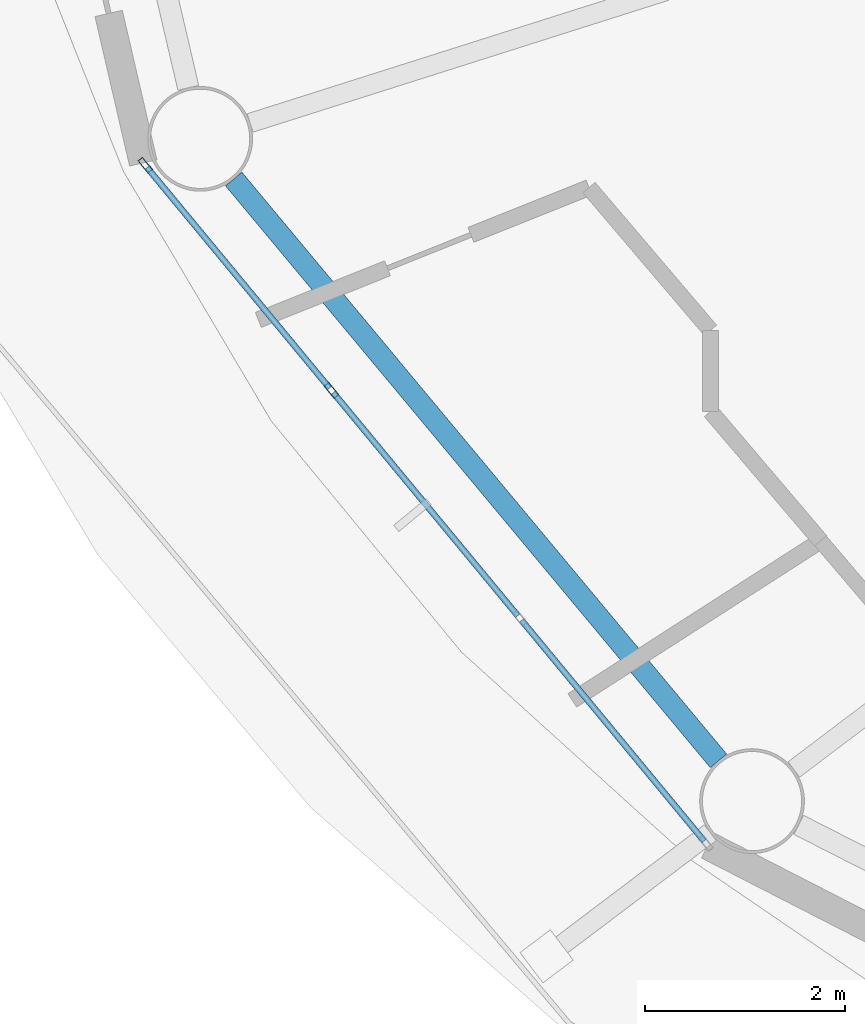
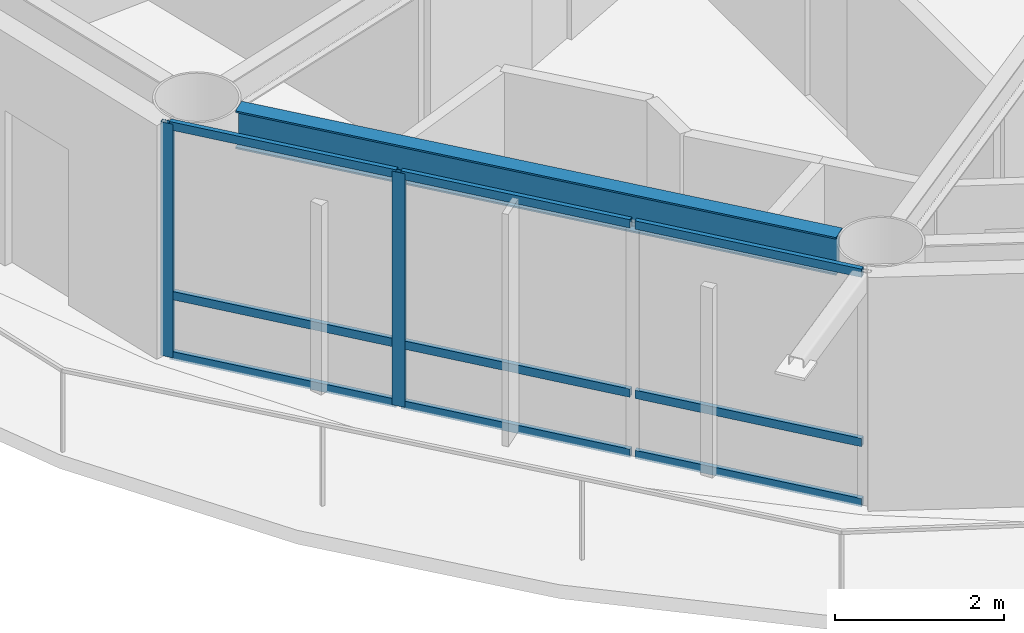
# One storey, part 3 of 30: 11 members, 1 beam, 1 element without a shape of its own.
"""IFC4 building model written with IfcOpenShell, lengths in metres."""

from ifc_helpers import new_model, si_unit, direction, frame, origin, origin_2d, place, context, subcontext, project, spatial, hollow_rectangle, i_section, extrude, material, layer, layer_set, material_profile, profile_set, type_object, element, aggregate, save


model = new_model("IFC4")

# Units and contexts
model_context = context("Model", 3, precision=1e-05, world=origin(), true_north=direction((0.0, 1.0)))
body_context = subcontext(model_context, "Body", "Model", "MODEL_VIEW")
ifc_project = project(units=[si_unit("LENGTHUNIT", "METRE"), si_unit("AREAUNIT", "SQUARE_METRE"), si_unit("VOLUMEUNIT", "CUBIC_METRE"), si_unit("PLANEANGLEUNIT", "RADIAN"), si_unit("MASSUNIT", "GRAM", prefix="KILO")], contexts=[model_context])

# Site, building, storey
site_placement = place(None, origin())
site = spatial("IfcSite", under=ifc_project, at=site_placement, CompositionType="ELEMENT")
building_placement = place(site_placement, origin())
building = spatial("IfcBuilding", under=site, at=building_placement, Name="Sarneth Arch Tower", CompositionType="ELEMENT")
storey_placement = place(building_placement, frame((0.0, 0.0, 161.39990234375)))
storey = spatial("IfcBuildingStorey", under=building, at=storey_placement, Name="L40", CompositionType="ELEMENT", Elevation=161.39990234375)

# Beam
ifc_material_1 = material(Name="Steel S355", Category="steel")
ifc_material_profile_1 = material_profile(ifc_material_1, i_section(OverallWidth=0.214111328125, OverallDepth=0.549072265625, WebThickness=0.0146484375, FlangeThickness=0.023681640625, FilletRadius=0.01806640625, at=origin_2d()), Name="W530x138")
ifc_profile_set_1 = profile_set([ifc_material_profile_1], Name="Steel S355")
beam_type = type_object("IfcBeamType", Name="BM-RAD-530A", PredefinedType="BEAM", material=ifc_profile_set_1)
beam_placement = place(storey_placement, frame((23.673828125, 33.770751953125, 3.105712890625), z_axis=(0.640171737024, -0.768231831621, 0.0), x_axis=(0.768231831621, 0.640171737024, 0.0)))
element("IfcBeam", 1, at=beam_placement, inside=storey, type_object=beam_type, Name="L40 Perimeter spandrel beam 10", PredefinedType="BEAM", context=body_context, shape_type="SweptSolid", body=[
    extrude(i_section(OverallWidth=0.214111328125, OverallDepth=0.549072265625, WebThickness=0.0146484375, FlangeThickness=0.023681640625, FilletRadius=0.01806640625, at=origin_2d()), origin(), (0.0, 0.0, 1.0), 7.585693359375),
])

# Curtain wall, members
ifc_material_2 = material(Name="Anodised aluminium Type AA25 and solar-control low-e laminated IGU", Category="aluminium")
ifc_layer = layer(ifc_material_2, 0.169921875)
ifc_layer_set = layer_set([ifc_layer], Name="Anodised aluminium Type AA25 and solar-control low-e laminated IGU")
curtain_wall_type = type_object("IfcCurtainWallType", Name="CW-RES-MID", PredefinedType="NOTDEFINED", material=ifc_layer_set)
curtain_wall_placement = place(storey_placement, origin())
curtain_wall = element("IfcCurtainWall", 2, at=curtain_wall_placement, inside=storey, type_object=curtain_wall_type, Name="L40 Unitised curtain wall facet 10", PredefinedType="NOTDEFINED")
ifc_material_3 = material(Name="Anodised Aluminium 6063-T6", Category="aluminium")
ifc_material_profile_2 = material_profile(ifc_material_3, hollow_rectangle(XDim=0.06005859375, YDim=0.159912109375, WallThickness=0.00390625, at=origin_2d()), Name="AL-MULL-160x60x4")
ifc_profile_set_2 = profile_set([ifc_material_profile_2], Name="Anodised Aluminium 6063-T6")
member_type_1 = type_object("IfcMemberType", Name="CW-MULLION", PredefinedType="MULLION", material=ifc_profile_set_2)
member_1_placement = place(storey_placement, frame((22.786865234375, 33.909912109375, 0.0), z_axis=(0.0, 0.0, 1.0), x_axis=(0.770590741276, 0.637330298558, 0.0)))
member_1 = element("IfcMember", 3, at=member_1_placement, type_object=member_type_1, Name="CW-SYS-5 mullion 1", PredefinedType="MULLION", context=body_context, shape_type="SweptSolid", body=[
    extrude(hollow_rectangle(XDim=0.06005859375, YDim=0.159912109375, WallThickness=0.00390625, at=origin_2d()), origin(), (0.0, 0.0, 1.0), 3.380126953125),
])
member_2_placement = place(storey_placement, frame((24.653076171875, 31.6533203125, 0.0), z_axis=(0.0, 0.0, 1.0), x_axis=(0.770590741276, 0.637330298558, 0.0)))
member_2 = element("IfcMember", 4, at=member_2_placement, type_object=member_type_1, Name="CW-SYS-5 mullion 2", PredefinedType="MULLION", context=body_context, shape_type="SweptSolid", body=[
    extrude(hollow_rectangle(XDim=0.06005859375, YDim=0.159912109375, WallThickness=0.00390625, at=origin_2d()), origin(), (0.0, 0.0, 1.0), 3.380126953125),
])
ifc_material_4 = material(Name="Anodised Aluminium 6063-T6", Category="aluminium")
ifc_material_profile_3 = material_profile(ifc_material_4, hollow_rectangle(XDim=0.06005859375, YDim=0.1201171875, WallThickness=0.00390625, at=origin_2d()), Name="AL-TRAN-120x60x4")
ifc_profile_set_3 = profile_set([ifc_material_profile_3], Name="Anodised Aluminium 6063-T6")
member_type_2 = type_object("IfcMemberType", Name="CW-TRANSOM", PredefinedType="USERDEFINED", material=ifc_profile_set_3)
member_3_placement = place(storey_placement, frame((22.805908203125, 33.88671875, 0.030029296875), z_axis=(0.637358651504, -0.770567290607, 0.0), x_axis=(0.770567290607, 0.637358651504, 0.0)))
member_3 = element("IfcMember", 5, at=member_3_placement, type_object=member_type_2, Name="CW-SYS-5 transom 1.1", ObjectType="TRANSOM", PredefinedType="USERDEFINED", context=body_context, shape_type="SweptSolid", body=[
    extrude(hollow_rectangle(XDim=0.06005859375, YDim=0.1201171875, WallThickness=0.00390625, at=origin_2d()), origin(), (0.0, 0.0, 1.0), 2.8681640625),
])
member_4_placement = place(storey_placement, frame((22.805908203125, 33.88671875, 0.900146484375), z_axis=(0.637358651504, -0.770567290607, 0.0), x_axis=(0.770567290607, 0.637358651504, 0.0)))
member_4 = element("IfcMember", 6, at=member_4_placement, type_object=member_type_2, Name="CW-SYS-5 transom 1.2", ObjectType="TRANSOM", PredefinedType="USERDEFINED", context=body_context, shape_type="SweptSolid", body=[
    extrude(hollow_rectangle(XDim=0.06005859375, YDim=0.1201171875, WallThickness=0.00390625, at=origin_2d()), origin(), (0.0, 0.0, 1.0), 2.8681640625),
])
member_5_placement = place(storey_placement, frame((22.805908203125, 33.88671875, 3.35009765625), z_axis=(0.637358651504, -0.770567290607, 0.0), x_axis=(0.770567290607, 0.637358651504, 0.0)))
member_5 = element("IfcMember", 7, at=member_5_placement, type_object=member_type_2, Name="CW-SYS-5 transom 1.3", ObjectType="TRANSOM", PredefinedType="USERDEFINED", context=body_context, shape_type="SweptSolid", body=[
    extrude(hollow_rectangle(XDim=0.06005859375, YDim=0.1201171875, WallThickness=0.00390625, at=origin_2d()), origin(), (0.0, 0.0, 1.0), 2.8681640625),
])
member_6_placement = place(storey_placement, frame((24.672119140625, 31.63037109375, 0.030029296875), z_axis=(0.637329777791, -0.770591171985, 0.0), x_axis=(0.770591171985, 0.637329777791, 0.0)))
member_6 = element("IfcMember", 8, at=member_6_placement, type_object=member_type_2, Name="CW-SYS-5 transom 2.1", ObjectType="TRANSOM", PredefinedType="USERDEFINED", context=body_context, shape_type="SweptSolid", body=[
    extrude(hollow_rectangle(XDim=0.06005859375, YDim=0.1201171875, WallThickness=0.00390625, at=origin_2d()), origin(), (0.0, 0.0, 1.0), 2.898193359375),
])
member_7_placement = place(storey_placement, frame((24.672119140625, 31.63037109375, 0.900146484375), z_axis=(0.637329777791, -0.770591171985, 0.0), x_axis=(0.770591171985, 0.637329777791, 0.0)))
member_7 = element("IfcMember", 9, at=member_7_placement, type_object=member_type_2, Name="CW-SYS-5 transom 2.2", ObjectType="TRANSOM", PredefinedType="USERDEFINED", context=body_context, shape_type="SweptSolid", body=[
    extrude(hollow_rectangle(XDim=0.06005859375, YDim=0.1201171875, WallThickness=0.00390625, at=origin_2d()), origin(), (0.0, 0.0, 1.0), 2.898193359375),
])
member_8_placement = place(storey_placement, frame((24.672119140625, 31.63037109375, 3.35009765625), z_axis=(0.637329777791, -0.770591171985, 0.0), x_axis=(0.770591171985, 0.637329777791, 0.0)))
member_8 = element("IfcMember", 10, at=member_8_placement, type_object=member_type_2, Name="CW-SYS-5 transom 2.3", ObjectType="TRANSOM", PredefinedType="USERDEFINED", context=body_context, shape_type="SweptSolid", body=[
    extrude(hollow_rectangle(XDim=0.06005859375, YDim=0.1201171875, WallThickness=0.00390625, at=origin_2d()), origin(), (0.0, 0.0, 1.0), 2.898193359375),
])
member_9_placement = place(storey_placement, frame((26.5576171875, 29.3505859375, 0.030029296875), z_axis=(0.637358651504, -0.770567290607, 0.0), x_axis=(0.770567290607, 0.637358651504, 0.0)))
member_9 = element("IfcMember", 11, at=member_9_placement, type_object=member_type_2, Name="CW-SYS-5 transom 3.1", ObjectType="TRANSOM", PredefinedType="USERDEFINED", context=body_context, shape_type="SweptSolid", body=[
    extrude(hollow_rectangle(XDim=0.06005859375, YDim=0.1201171875, WallThickness=0.00390625, at=origin_2d()), origin(), (0.0, 0.0, 1.0), 2.8681640625),
])
member_10_placement = place(storey_placement, frame((26.5576171875, 29.3505859375, 0.900146484375), z_axis=(0.637358651504, -0.770567290607, 0.0), x_axis=(0.770567290607, 0.637358651504, 0.0)))
member_10 = element("IfcMember", 12, at=member_10_placement, type_object=member_type_2, Name="CW-SYS-5 transom 3.2", ObjectType="TRANSOM", PredefinedType="USERDEFINED", context=body_context, shape_type="SweptSolid", body=[
    extrude(hollow_rectangle(XDim=0.06005859375, YDim=0.1201171875, WallThickness=0.00390625, at=origin_2d()), origin(), (0.0, 0.0, 1.0), 2.8681640625),
])
member_11_placement = place(storey_placement, frame((26.5576171875, 29.3505859375, 3.35009765625), z_axis=(0.637358651504, -0.770567290607, 0.0), x_axis=(0.770567290607, 0.637358651504, 0.0)))
member_11 = element("IfcMember", 13, at=member_11_placement, type_object=member_type_2, Name="CW-SYS-5 transom 3.3", ObjectType="TRANSOM", PredefinedType="USERDEFINED", context=body_context, shape_type="SweptSolid", body=[
    extrude(hollow_rectangle(XDim=0.06005859375, YDim=0.1201171875, WallThickness=0.00390625, at=origin_2d()), origin(), (0.0, 0.0, 1.0), 2.8681640625),
])
aggregate(curtain_wall, [member_1, member_2, member_3, member_4, member_5, member_6, member_7, member_8, member_9, member_10, member_11])

save(model, "model.ifc")
